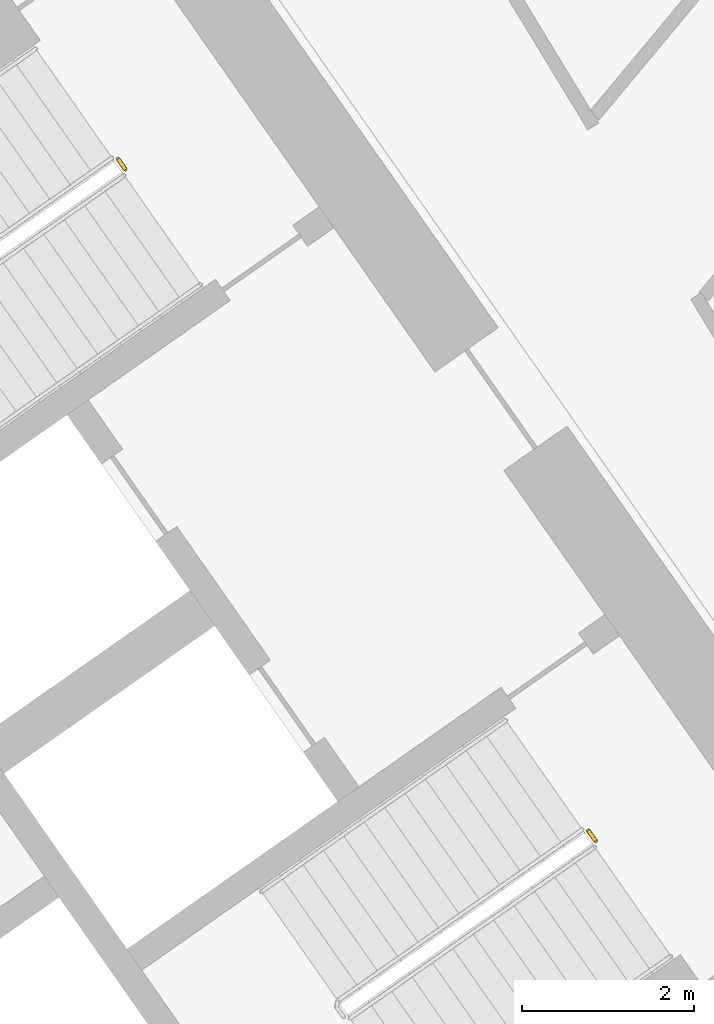
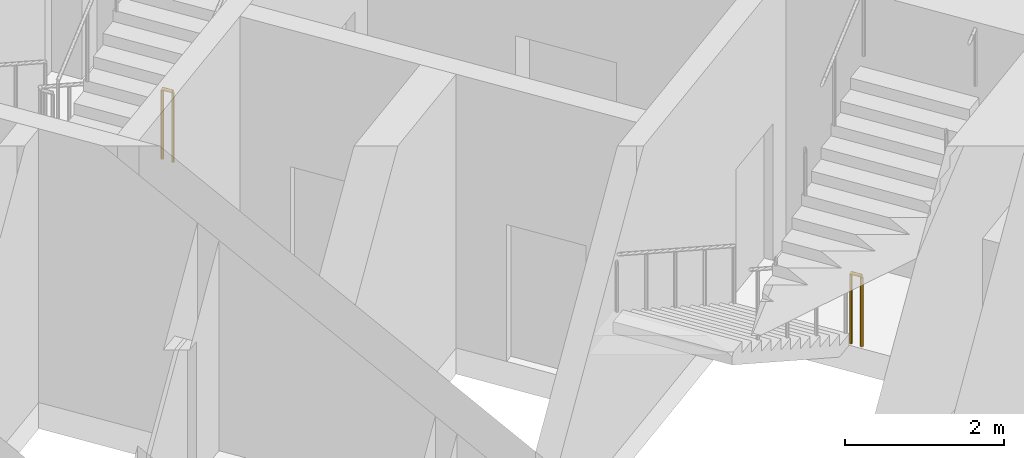
# One storey, part 18 of 19: 2 railings.
"""IFC4 building model written with IfcOpenShell, lengths in metres."""

from ifc_helpers import new_model, si_unit, direction, frame, origin, origin_2d, place, context, subcontext, project, spatial, circle, extrude, material, type_object, element, save


model = new_model("IFC4")

# Units and contexts
model_context = context("Model", 3, precision=1e-05, world=origin(), true_north=direction((0.0, 1.0)))
body_context = subcontext(model_context, "Body", "Model", "MODEL_VIEW")
ifc_project = project(units=[si_unit("LENGTHUNIT", "METRE"), si_unit("AREAUNIT", "SQUARE_METRE"), si_unit("VOLUMEUNIT", "CUBIC_METRE"), si_unit("PLANEANGLEUNIT", "RADIAN"), si_unit("MASSUNIT", "GRAM", prefix="KILO")], contexts=[model_context])

# Site, building, storey
site_placement = place(None, origin())
site = spatial("IfcSite", under=ifc_project, at=site_placement, CompositionType="ELEMENT")
building_placement = place(site_placement, origin())
building = spatial("IfcBuilding", under=site, at=building_placement, Name="Qamariyya Broadcast Tower", CompositionType="ELEMENT")
storey_placement = place(building_placement, frame((0.0, 0.0, 36.0)))
storey = spatial("IfcBuildingStorey", under=building, at=storey_placement, Name="L05", CompositionType="ELEMENT", Elevation=36.0)

# Railings
ifc_material = material(Name="Painted steel", Category="steel")
railing_type = type_object("IfcRailingType", Name="Stair guard", PredefinedType="GUARDRAIL", material=ifc_material)
railing_1_placement = place(storey_placement, frame((41.072998046875, -48.332275390625, 0.0)))
element("IfcRailing", 1, at=railing_1_placement, inside=storey, type_object=railing_type, Name="L05 ST-E2 stair guard 3", PredefinedType="GUARDRAIL", context=body_context, shape_type="SweptSolid", body=[
    extrude(circle(Radius=0.02392578125, at=origin_2d()), frame((0.0, 0.0, 1.076171875), z_axis=(0.572588637393, -0.819842821722, 0.0), x_axis=(0.819842821722, 0.572588637393, 0.0)), (0.0, 0.0, 1.0), 0.150146484375),
    extrude(circle(Radius=0.02099609375, at=origin_2d()), origin(), (0.0, 0.0, 1.0), 1.052001953125),
    extrude(circle(Radius=0.02099609375, at=origin_2d()), frame((0.0859375, -0.123046875, 0.0)), (0.0, 0.0, 1.0), 1.052001953125),
])
railing_2_placement = place(storey_placement, frame((46.550537109375, -56.1552734375, 0.0)))
element("IfcRailing", 2, at=railing_2_placement, inside=storey, type_object=railing_type, Name="L05 ST-E1 stair guard 3", PredefinedType="GUARDRAIL", context=body_context, shape_type="SweptSolid", body=[
    extrude(circle(Radius=0.02392578125, at=origin_2d()), frame((0.0, 0.0, 1.076171875), z_axis=(0.574444878118, -0.818543268254, 0.0), x_axis=(0.818543268254, 0.574444878118, 0.0)), (0.0, 0.0, 1.0), 0.150146484375),
    extrude(circle(Radius=0.02099609375, at=origin_2d()), origin(), (0.0, 0.0, 1.0), 1.052001953125),
    extrude(circle(Radius=0.02099609375, at=origin_2d()), frame((0.086181640625, -0.122802734375, 0.0)), (0.0, 0.0, 1.0), 1.052001953125),
])

save(model, "model.ifc")
